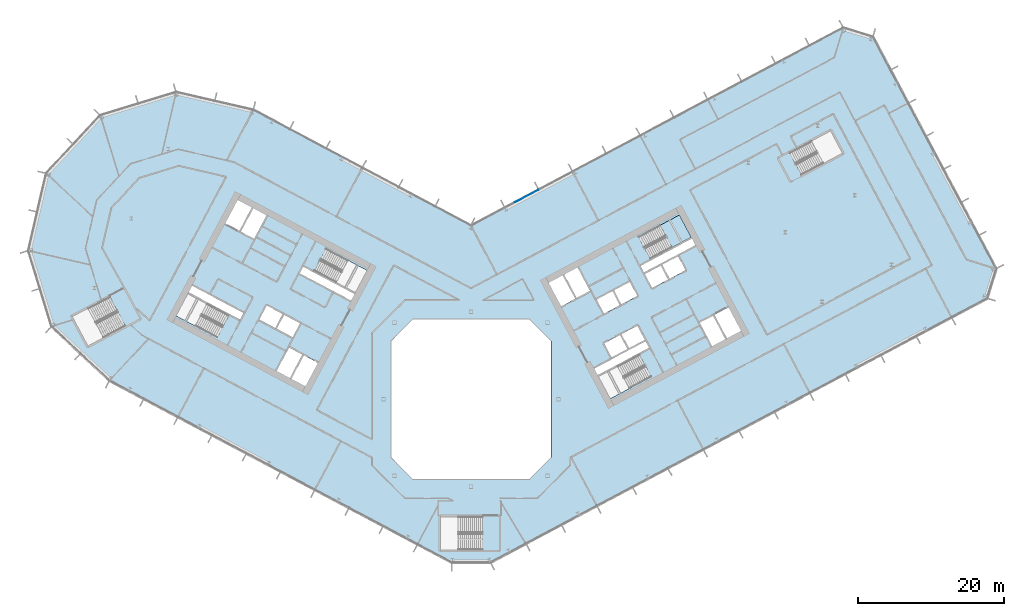
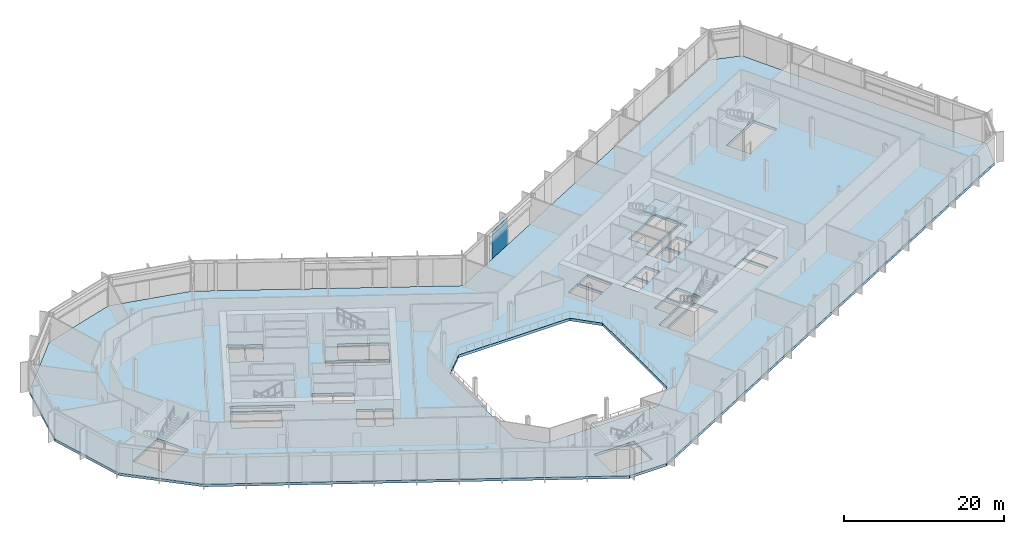
# One storey, part 12 of 31: 2 slabs, 1 plate, 2 elements without a shape of their own.
"""IFC4 building model written with IfcOpenShell, lengths in metres."""

from ifc_helpers import new_model, si_unit, direction, frame, origin, origin_2d, place, context, subcontext, project, spatial, polyline, rectangle, outline, extrude, material, layer, layer_set, type_object, element, aggregate, save


model = new_model("IFC4")

# Units and contexts
model_context = context("Model", 3, precision=1e-05, world=origin(), true_north=direction((0.0, 1.0)))
body_context = subcontext(model_context, "Body", "Model", "MODEL_VIEW")
ifc_project = project(units=[si_unit("LENGTHUNIT", "METRE"), si_unit("AREAUNIT", "SQUARE_METRE"), si_unit("VOLUMEUNIT", "CUBIC_METRE"), si_unit("PLANEANGLEUNIT", "RADIAN"), si_unit("MASSUNIT", "GRAM", prefix="KILO")], contexts=[model_context])

# Site, building, storey
site_placement = place(None, origin())
site = spatial("IfcSite", under=ifc_project, at=site_placement, CompositionType="ELEMENT")
building_placement = place(site_placement, origin())
building = spatial("IfcBuilding", under=site, at=building_placement, Name="Cormorant Relay Tower", CompositionType="ELEMENT")
storey_placement = place(building_placement, frame((0.0, 0.0, 107.60009765625)))
storey = spatial("IfcBuildingStorey", under=building, at=storey_placement, Name="L21", CompositionType="ELEMENT", Elevation=107.60009765625)

# Curtain wall, plate
ifc_material_1 = material(Name="Aluminium 6063-T6 anodised bronze", Category="aluminium")
ifc_layer_1 = layer(ifc_material_1, 0.199951171875)
ifc_layer_set_1 = layer_set([ifc_layer_1], Name="CW1 unitised bronze curtain wall with vertical fins")
curtain_wall_type = type_object("IfcCurtainWallType", Name="CW1 unitised bronze curtain wall with vertical fins", PredefinedType="NOTDEFINED", material=ifc_layer_set_1)
curtain_wall_placement = place(storey_placement, origin())
curtain_wall = element("IfcCurtainWall", 1, at=curtain_wall_placement, inside=storey, type_object=curtain_wall_type, Name="CW1 curtain wall 6", PredefinedType="NOTDEFINED")
ifc_material_2 = material(Name="Tinted laminated glass", Category="glass")
ifc_layer_2 = layer(ifc_material_2, 0.0400390625)
ifc_layer_set_2 = layer_set([ifc_layer_2], Name="CW1 tinted vision panel 3600 module")
plate_type = type_object("IfcPlateType", Name="CW1 tinted vision panel 3600 module", PredefinedType="CURTAIN_PANEL", material=ifc_layer_set_2)
plate_placement = place(storey_placement, frame((7.619384765625, 27.85791015625, 0.0), z_axis=(0.0, 0.0, 1.0), x_axis=(-0.882947592859, -0.469471562786, 0.0)))
plate = element("IfcPlate", 2, at=plate_placement, type_object=plate_type, Name="CW1 panel V09", PredefinedType="CURTAIN_PANEL", context=body_context, shape_type="SweptSolid", body=[
    extrude(rectangle(XDim=3.60009765625, YDim=0.0400390625, at=origin_2d()), origin(), (0.0, 0.0, 1.0), 4.14990234375),
])
aggregate(curtain_wall, [plate])

# Stair, slab
ifc_material_3 = material(Name="Concrete 40 MPa", Category="concrete")
stair_type = type_object("IfcStairType", Name="Exit stair 1500", PredefinedType="HALF_TURN_STAIR", material=ifc_material_3)
stair_placement = place(storey_placement, origin())
stair = element("IfcStair", 3, at=stair_placement, inside=storey, type_object=stair_type, Name="L21 Stair", PredefinedType="HALF_TURN_STAIR")
ifc_material_4 = material(Name="Concrete 40 MPa", Category="concrete")
ifc_layer_3 = layer(ifc_material_4, 0.199951171875)
ifc_layer_set_3 = layer_set([ifc_layer_3], Name="Exit stair landing 200")
slab_type_1 = type_object("IfcSlabType", Name="Exit stair landing 200", PredefinedType="LANDING", material=ifc_layer_set_3)
slab_1_placement = place(storey_placement, frame((0.0, 0.0, 2.099853515625)))
slab_1 = element("IfcSlab", 4, at=slab_1_placement, type_object=slab_type_1, Name="B2 landing 1", PredefinedType="LANDING", context=body_context, shape_type="SweptSolid", body=[
    extrude(outline(polyline([(27.558837890625, 20.82568359375), (30.19873046875, 22.2294921875), (28.5791015625, 25.275634765625), (25.93896484375, 23.871826171875), (27.558837890625, 20.82568359375)])), origin(), (0.0, 0.0, 1.0), 0.199951171875),
])
aggregate(stair, [slab_1])

# Slab
ifc_material_5 = material(Name="Concrete 40 MPa", Category="concrete")
ifc_layer_4 = layer(ifc_material_5, 0.39990234375)
ifc_layer_set_4 = layer_set([ifc_layer_4], Name="Flat plate 400")
slab_type_2 = type_object("IfcSlabType", Name="Flat plate 400", PredefinedType="FLOOR", material=ifc_layer_set_4)
slab_2_placement = place(storey_placement, frame((0.0, 0.0, -0.400146484375)))
element("IfcSlab", 5, at=slab_2_placement, inside=storey, type_object=slab_type_2, Name="Floor slab L21", PredefinedType="FLOOR", context=body_context, shape_type="SweptSolid", body=[
    extrude(outline(polyline([(-60.7197265625, 20.393310546875), (-58.2744140625, 30.985107421875), (-50.86083984375, 38.935302734375), (-40.465576171875, 42.11328125), (-29.873779296875, 39.668212890625), (0.0, 23.783935546875), (51.064453125, 50.935302734375), (55.12158203125, 49.695068359375), (72.022705078125, 17.908935546875), (70.7822265625, 13.8515625), (2.648681640625, -22.37548828125), (-2.648681640625, -22.37548828125), (-49.591552734375, 2.584228515625), (-57.541748046875, 9.997802734375), (-60.7197265625, 20.393310546875)]), holes=[polyline([(11.0, -8.0), (11.0, 8.0), (8.0, 11.0), (-8.0, 11.0), (-11.0, 8.0), (-11.0, -8.0), (-8.0, -11.0), (8.0, -11.0), (11.0, -8.0)]), polyline([(-4.199951171875, -16.125), (-4.199951171875, -20.675048828125), (1.60009765625, -20.675048828125), (1.60009765625, -16.125), (-4.199951171875, -16.125)]), polyline([(-22.95458984375, 6.03271484375), (-24.668212890625, 2.81005859375), (-22.725830078125, 1.777099609375), (-21.01220703125, 5.0), (-23.04296875, 6.07958984375), (-22.95458984375, 6.03271484375)]), polyline([(-24.985595703125, 7.112548828125), (-26.69921875, 3.889892578125), (-24.844970703125, 2.90380859375), (-23.13134765625, 6.126708984375), (-23.04296875, 6.07958984375), (-24.985595703125, 7.112548828125)]), polyline([(-26.688720703125, 9.660400390625), (-24.481201171875, 8.48681640625), (-23.448486328125, 10.42919921875), (-25.656005859375, 11.602783203125), (-26.688720703125, 9.660400390625)]), polyline([(-49.57861328125, 14.0537109375), (-54.69970703125, 11.330810546875), (-52.563720703125, 7.3134765625), (-47.442626953125, 10.036376953125), (-49.57861328125, 14.0537109375)]), polyline([(-28.039794921875, 12.870361328125), (-29.07275390625, 10.927978515625), (-26.865234375, 9.75439453125), (-25.83251953125, 11.69677734375), (-28.039794921875, 12.870361328125)]), polyline([(-38.847900390625, 14.483154296875), (-40.46728515625, 11.43701171875), (-34.860595703125, 8.455810546875), (-33.240966796875, 11.502197265625), (-38.847900390625, 14.483154296875)]), polyline([(-38.260986328125, 15.5869140625), (-38.75390625, 14.659912109375), (-31.690185546875, 10.904052734375), (-31.197265625, 11.8310546875), (-38.260986328125, 15.5869140625)]), polyline([(14.3056640625, 13.779052734375), (12.592041015625, 17.001708984375), (10.649658203125, 15.968994140625), (12.36328125, 12.74609375), (14.39404296875, 13.825927734375), (14.3056640625, 13.779052734375)]), polyline([(16.33642578125, 14.85888671875), (14.622802734375, 18.08154296875), (12.768798828125, 17.095703125), (14.482421875, 13.872802734375), (14.39404296875, 13.825927734375), (16.33642578125, 14.85888671875)]), polyline([(-16.481689453125, 13.520263671875), (-15.989013671875, 14.447509765625), (-23.052490234375, 18.203125), (-23.54541015625, 17.276123046875), (-16.481689453125, 13.520263671875)]), polyline([(-21.501708984375, 17.605224609375), (-15.89501953125, 14.6240234375), (-14.275390625, 17.670166015625), (-19.882080078125, 20.6513671875), (-21.501708984375, 17.605224609375)]), polyline([(-31.611572265625, 22.980712890625), (-29.75732421875, 21.99462890625), (-28.043701171875, 25.217529296875), (-29.89794921875, 26.203369140625), (-31.611572265625, 22.980712890625)]), polyline([(-33.73046875, 24.107421875), (-31.7880859375, 23.074462890625), (-30.074462890625, 26.29736328125), (-32.01708984375, 27.330078125), (-33.73046875, 24.107421875)]), polyline([(23.087158203125, 6.10302734375), (17.48046875, 3.1220703125), (19.10009765625, 0.07568359375), (24.706787109375, 3.056884765625), (23.087158203125, 6.10302734375)]), polyline([(16.8935546875, 4.2255859375), (17.386474609375, 3.298583984375), (24.4501953125, 7.054443359375), (23.957275390625, 7.9814453125), (16.8935546875, 4.2255859375)]), polyline([(20.446533203125, 8.8330078125), (18.239013671875, 7.6591796875), (19.27197265625, 5.716796875), (21.479248046875, 6.890380859375), (20.446533203125, 8.8330078125)]), polyline([(22.830322265625, 10.1005859375), (20.623046875, 8.927001953125), (21.656005859375, 6.984375), (23.86328125, 8.158203125), (22.830322265625, 10.1005859375)]), polyline([(33.197021484375, 11.478515625), (31.3427734375, 10.49267578125), (33.056396484375, 7.27001953125), (34.910400390625, 8.255859375), (33.197021484375, 11.478515625)]), polyline([(33.37353515625, 11.572509765625), (35.087158203125, 8.349609375), (37.029541015625, 9.382568359375), (35.31591796875, 12.605224609375), (33.37353515625, 11.572509765625)]), polyline([(19.401123046875, 14.84619140625), (17.19384765625, 13.67236328125), (18.2265625, 11.72998046875), (20.43408203125, 12.903564453125), (19.401123046875, 14.84619140625)]), polyline([(22.81787109375, 14.171142578125), (21.78515625, 16.113525390625), (19.57763671875, 14.93994140625), (20.610595703125, 12.99755859375), (22.81787109375, 14.171142578125)]), polyline([(26.023193359375, 18.3671875), (23.81591796875, 17.193359375), (24.8486328125, 15.2509765625), (27.05615234375, 16.424560546875), (26.023193359375, 18.3671875)]), polyline([(29.440185546875, 17.692138671875), (28.4072265625, 19.634765625), (26.19970703125, 18.4609375), (27.232666015625, 16.5185546875), (29.440185546875, 17.692138671875)]), polyline([(30.78564453125, 21.125732421875), (30.29248046875, 22.052978515625), (23.22900390625, 18.297119140625), (23.721923828125, 17.3701171875), (30.78564453125, 21.125732421875)]), polyline([(24.592041015625, 19.248291015625), (30.19873046875, 22.2294921875), (28.5791015625, 25.275634765625), (22.972412109375, 22.29443359375), (24.592041015625, 19.248291015625)]), polyline([(45.3349609375, 30.773681640625), (50.941650390625, 33.7548828125), (49.322021484375, 36.801025390625), (43.715087890625, 33.81982421875), (45.3349609375, 30.773681640625)])]), origin(), (0.0, 0.0, 1.0), 0.400146484375),
])

save(model, "model.ifc")
